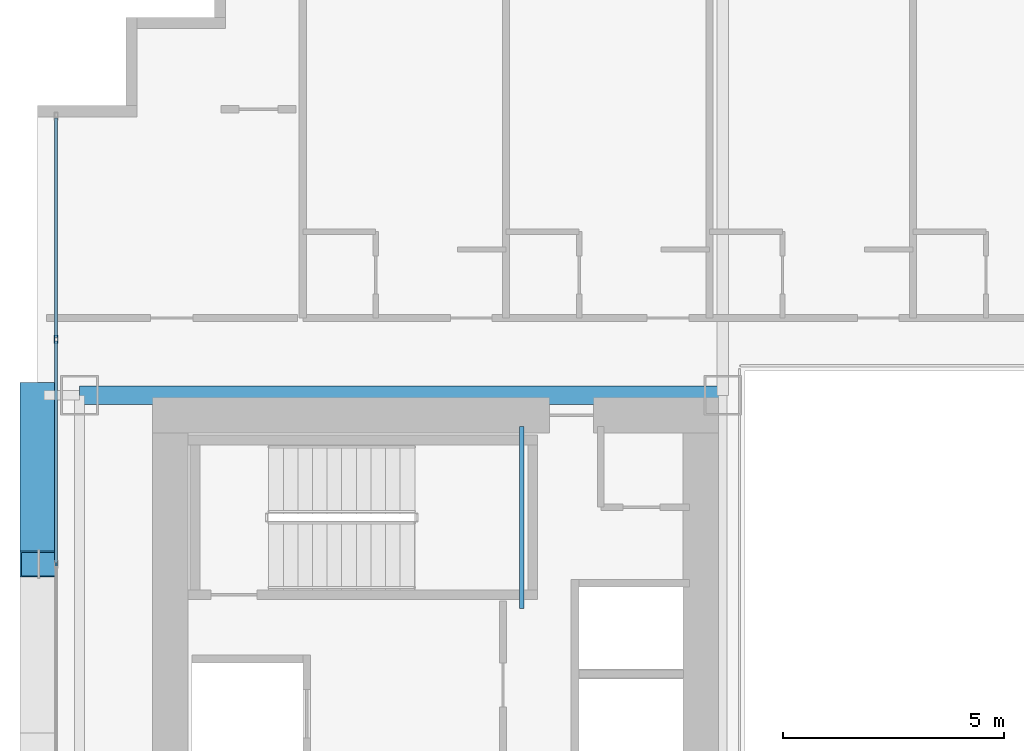
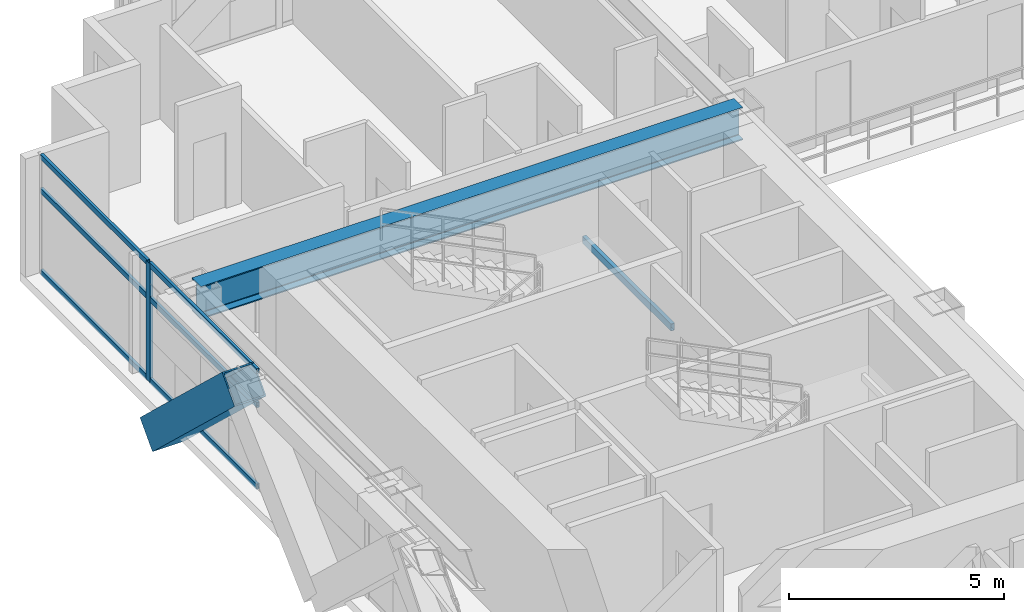
# One storey, part 16 of 36: 8 members, 2 beams, 1 element without a shape of its own.
"""IFC4 building model written with IfcOpenShell, lengths in metres."""

from ifc_helpers import new_model, si_unit, direction, frame, origin, origin_2d, place, context, subcontext, project, spatial, hollow_rectangle, i_section, extrude, source, transform, mapped, material, layer, layer_set, material_profile, profile_set, type_object, element, aggregate, save


model = new_model("IFC4")

# Units and contexts
model_context = context("Model", 3, precision=1e-05, world=origin(), true_north=direction((0.0, 1.0)))
body_context = subcontext(model_context, "Body", "Model", "MODEL_VIEW")
ifc_project = project(units=[si_unit("LENGTHUNIT", "METRE"), si_unit("AREAUNIT", "SQUARE_METRE"), si_unit("VOLUMEUNIT", "CUBIC_METRE"), si_unit("PLANEANGLEUNIT", "RADIAN"), si_unit("MASSUNIT", "GRAM", prefix="KILO")], contexts=[model_context])

# Site, building, storey
site_placement = place(None, origin())
site = spatial("IfcSite", under=ifc_project, at=site_placement, CompositionType="ELEMENT")
building_placement = place(site_placement, origin())
building = spatial("IfcBuilding", under=site, at=building_placement, Name="Ocotamira Hotel", CompositionType="ELEMENT")
storey_placement = place(building_placement, frame((0.0, 0.0, 42.0)))
storey = spatial("IfcBuildingStorey", under=building, at=storey_placement, Name="L09", CompositionType="ELEMENT", Elevation=42.0)

# Beams
ifc_material_1 = material(Name="Steel ASTM A500 Grade C", Category="steel")
ifc_material_profile_1 = material_profile(ifc_material_1, hollow_rectangle(XDim=0.10009765625, YDim=0.199951171875, WallThickness=0.008056640625, at=origin_2d()), Name="HSS200X100X8")
ifc_profile_set_1 = profile_set([ifc_material_profile_1], Name="Steel ASTM A500 Grade C")
beam_type_1 = type_object("IfcBeamType", Name="BM-STLDG-HSS200", PredefinedType="BEAM", material=ifc_profile_set_1)
shared_shape_1 = source(origin(), body_context, "Body", "SweptSolid", [
    extrude(hollow_rectangle(XDim=0.10009765625, YDim=0.199951171875, WallThickness=0.008056640625, at=origin_2d()), origin(), (0.0, 0.0, 1.0), 4.1201171875),
])
beam_1_placement = place(storey_placement, frame((18.949951171875, 32.6298828125, 1.5), z_axis=(0.0, 1.0, 0.0), x_axis=(-1.0, 0.0, 0.0)))
element("IfcBeam", 1, at=beam_1_placement, inside=storey, type_object=beam_type_1, Name="L09 Stair ST-2 Landing Bearer 1", PredefinedType="BEAM", context=body_context, shape_type="MappedRepresentation", body=[
    mapped(shared_shape_1, transform((0.0, 0.0, 0.0), scale=1.0)),
])
ifc_material_2 = material(Name="Steel ASTM A992 Grade 50", Category="steel")
ifc_material_profile_2 = material_profile(ifc_material_2, i_section(OverallWidth=0.41796875, OverallDepth=0.927001953125, WebThickness=0.019287109375, FlangeThickness=0.031982421875, FilletRadius=0.02392578125, at=origin_2d()), Name="W36X231")
ifc_profile_set_2 = profile_set([ifc_material_profile_2], Name="Steel ASTM A992 Grade 50")
beam_type_2 = type_object("IfcBeamType", Name="BM-GIRD-W36X231", PredefinedType="BEAM", material=ifc_profile_set_2)
shared_shape_2 = source(origin(), body_context, "Body", "SweptSolid", [
    extrude(i_section(OverallWidth=0.41796875, OverallDepth=0.927001953125, WebThickness=0.019287109375, FlangeThickness=0.031982421875, FilletRadius=0.02392578125, at=origin_2d()), origin(), (0.0, 0.0, 1.0), 14.550048828125),
])
beam_2_placement = place(storey_placement, frame((8.949951171875, 37.449951171875, 2.886474609375), z_axis=(1.0, 0.0, 0.0), x_axis=(0.0, 1.0, 0.0)))
element("IfcBeam", 2, at=beam_2_placement, inside=storey, type_object=beam_type_2, Name="L09 Girder Y37.45 X8.95-23.5", PredefinedType="BEAM", context=body_context, shape_type="MappedRepresentation", body=[
    mapped(shared_shape_2, transform((0.0, 0.0, 0.0), scale=1.0)),
])

# Member
ifc_material_3 = material(Name="Pale-metal coated steel ASTM A913 Grade 65", Category="steel")
ifc_material_profile_3 = material_profile(ifc_material_3, hollow_rectangle(XDim=0.85009765625, YDim=0.85009765625, WallThickness=0.035888671875, at=origin_2d()), Name="BOX850X850X36")
ifc_profile_set_3 = profile_set([ifc_material_profile_3], Name="Pale-metal coated steel ASTM A913 Grade 65")
member_type_1 = type_object("IfcMemberType", Name="MEM-EXO-BOX850", PredefinedType="BRACE", material=ifc_profile_set_3)
shared_shape_3 = source(origin(), body_context, "Body", "SweptSolid", [
    extrude(hollow_rectangle(XDim=0.85009765625, YDim=0.85009765625, WallThickness=0.035888671875, at=origin_2d()), origin(), (0.0, 0.0, 1.0), 5.24658203125),
])
member_1_placement = place(storey_placement, frame((8.030029296875, 37.449951171875, -0.5), z_axis=(0.0, -0.727442733726, 0.686168397078), x_axis=(1.0, 0.0, 0.0)))
element("IfcMember", 3, at=member_1_placement, inside=storey, type_object=member_type_1, Name="L09 Exoskeleton Diagrid W2.2", PredefinedType="BRACE", context=body_context, shape_type="MappedRepresentation", body=[
    mapped(shared_shape_3, transform((0.0, 0.0, 0.0), scale=1.0)),
])

# Curtain wall, members
ifc_material_4 = material(Name="Anodised pale-metal aluminium and solar glass", Category="aluminium")
ifc_layer = layer(ifc_material_4, 0.179931640625)
ifc_layer_set = layer_set([ifc_layer], Name="Anodised pale-metal aluminium and solar glass")
curtain_wall_type = type_object("IfcCurtainWallType", Name="CW-SYS2-Z1", PredefinedType="NOTDEFINED", material=ifc_layer_set)
curtain_wall_placement = place(storey_placement, origin())
curtain_wall = element("IfcCurtainWall", 4, at=curtain_wall_placement, inside=storey, type_object=curtain_wall_type, Name="L09 Curtain Wall CW-2 CW-L09-W", PredefinedType="NOTDEFINED")
ifc_material_5 = material(Name="Anodised pale-metal aluminium 6063-T6", Category="aluminium")
ifc_material_profile_4 = material_profile(ifc_material_5, hollow_rectangle(XDim=0.074951171875, YDim=0.14990234375, WallThickness=0.006103515625, at=origin_2d()), Name="HSS150X75X6")
ifc_profile_set_4 = profile_set([ifc_material_profile_4], Name="Anodised pale-metal aluminium 6063-T6")
member_type_2 = type_object("IfcMemberType", Name="CWT-150X75", PredefinedType="USERDEFINED", material=ifc_profile_set_4)
shared_shape_4 = source(origin(), body_context, "Body", "SweptSolid", [
    extrude(hollow_rectangle(XDim=0.074951171875, YDim=0.14990234375, WallThickness=0.006103515625, at=origin_2d()), origin(), (0.0, 0.0, 1.0), 4.965576171875),
])
member_2_placement = place(storey_placement, frame((8.419921875, 38.75439453125, 0.03759765625), z_axis=(0.0, 1.0, 0.0), x_axis=(-1.0, 0.0, 0.0)))
member_2 = element("IfcMember", 5, at=member_2_placement, type_object=member_type_2, Name="CW-2 transom 7.1", ObjectType="TRANSOM", PredefinedType="USERDEFINED", context=body_context, shape_type="MappedRepresentation", body=[
    mapped(shared_shape_4, transform((0.0, 0.0, 0.0), scale=1.0)),
])
member_3_placement = place(storey_placement, frame((8.419921875, 38.75439453125, 2.35009765625), z_axis=(0.0, 1.0, 0.0), x_axis=(-1.0, 0.0, 0.0)))
member_3 = element("IfcMember", 6, at=member_3_placement, type_object=member_type_2, Name="CW-2 transom 7.2", ObjectType="TRANSOM", PredefinedType="USERDEFINED", context=body_context, shape_type="MappedRepresentation", body=[
    mapped(shared_shape_4, transform((0.0, 0.0, 0.0), scale=1.0)),
])
member_4_placement = place(storey_placement, frame((8.419921875, 38.75439453125, 3.3125), z_axis=(0.0, 1.0, 0.0), x_axis=(-1.0, 0.0, 0.0)))
member_4 = element("IfcMember", 7, at=member_4_placement, type_object=member_type_2, Name="CW-2 transom 7.3", ObjectType="TRANSOM", PredefinedType="USERDEFINED", context=body_context, shape_type="MappedRepresentation", body=[
    mapped(shared_shape_4, transform((0.0, 0.0, 0.0), scale=1.0)),
])
shared_shape_5 = source(origin(), body_context, "Body", "SweptSolid", [
    extrude(hollow_rectangle(XDim=0.074951171875, YDim=0.14990234375, WallThickness=0.006103515625, at=origin_2d()), origin(), (0.0, 0.0, 1.0), 5.005859375),
])
member_5_placement = place(storey_placement, frame((8.419921875, 33.66845703125, 0.03759765625), z_axis=(0.0, 1.0, 0.0), x_axis=(-1.0, 0.0, 0.0)))
member_5 = element("IfcMember", 8, at=member_5_placement, type_object=member_type_2, Name="CW-2 transom 6.1", ObjectType="TRANSOM", PredefinedType="USERDEFINED", context=body_context, shape_type="MappedRepresentation", body=[
    mapped(shared_shape_5, transform((0.0, 0.0, 0.0), scale=1.0)),
])
member_6_placement = place(storey_placement, frame((8.419921875, 33.66845703125, 2.35009765625), z_axis=(0.0, 1.0, 0.0), x_axis=(-1.0, 0.0, 0.0)))
member_6 = element("IfcMember", 9, at=member_6_placement, type_object=member_type_2, Name="CW-2 transom 6.2", ObjectType="TRANSOM", PredefinedType="USERDEFINED", context=body_context, shape_type="MappedRepresentation", body=[
    mapped(shared_shape_5, transform((0.0, 0.0, 0.0), scale=1.0)),
])
member_7_placement = place(storey_placement, frame((8.419921875, 33.66845703125, 3.3125), z_axis=(0.0, 1.0, 0.0), x_axis=(-1.0, 0.0, 0.0)))
member_7 = element("IfcMember", 10, at=member_7_placement, type_object=member_type_2, Name="CW-2 transom 6.3", ObjectType="TRANSOM", PredefinedType="USERDEFINED", context=body_context, shape_type="MappedRepresentation", body=[
    mapped(shared_shape_5, transform((0.0, 0.0, 0.0), scale=1.0)),
])
ifc_material_profile_5 = material_profile(ifc_material_5, hollow_rectangle(XDim=0.080078125, YDim=0.179931640625, WallThickness=0.006103515625, at=origin_2d()), Name="HSS180X80X6")
ifc_profile_set_5 = profile_set([ifc_material_profile_5], Name="Anodised pale-metal aluminium 6063-T6")
member_type_3 = type_object("IfcMemberType", Name="CWM-180X75", PredefinedType="MULLION", material=ifc_profile_set_5)
shared_shape_6 = source(origin(), body_context, "Body", "SweptSolid", [
    extrude(hollow_rectangle(XDim=0.080078125, YDim=0.179931640625, WallThickness=0.006103515625, at=origin_2d()), origin(), (0.0, 0.0, 1.0), 3.35009765625),
])
member_8_placement = place(storey_placement, frame((8.419921875, 38.71435546875, 0.0), z_axis=(0.0, 0.0, 1.0), x_axis=(-1.0, 0.0, 0.0)))
member_8 = element("IfcMember", 11, at=member_8_placement, type_object=member_type_3, Name="CW-2 mullion 7", PredefinedType="MULLION", context=body_context, shape_type="MappedRepresentation", body=[
    mapped(shared_shape_6, transform((0.0, 0.0, 0.0), scale=1.0)),
])
aggregate(curtain_wall, [member_8, member_5, member_6, member_7, member_2, member_3, member_4])

save(model, "model.ifc")
